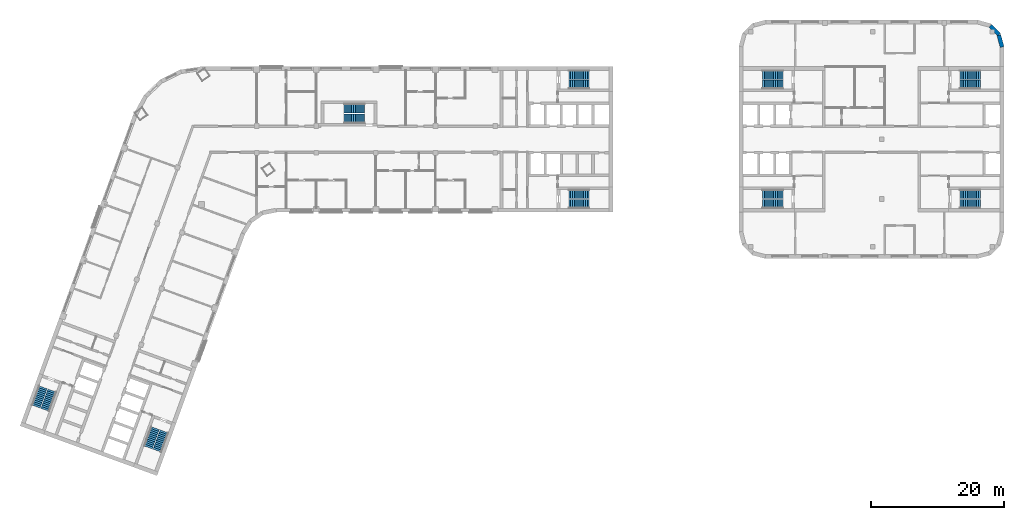
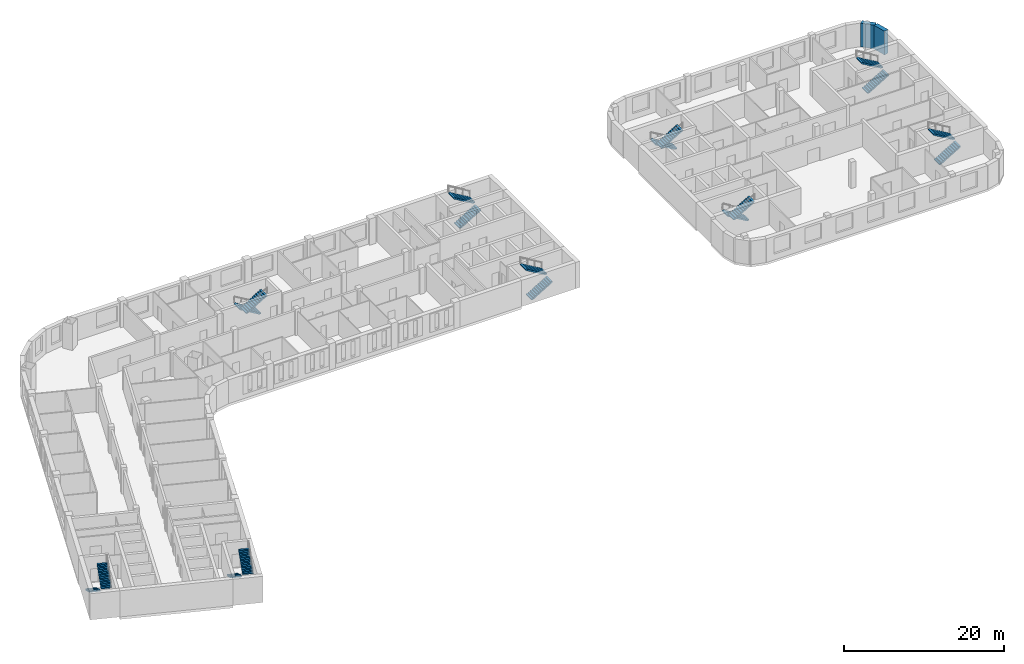
# One storey, part 10 of 12: 18 stair flights, 2 walls, 9 elements without a shape of their own.
"""IFC4 building model written with IfcOpenShell, lengths in metres."""

from ifc_helpers import new_model, si_unit, direction, frame, frame_2d, origin, place, context, subcontext, project, spatial, polyline, rectangle, outline, extrude, material, layer, layer_set, type_object, element, aggregate, save


model = new_model("IFC4")

# Units and contexts
model_context = context("Model", 3, precision=1e-05, world=origin(), true_north=direction((0.0, 1.0)))
body_context = subcontext(model_context, "Body", "Model", "MODEL_VIEW")
ifc_project = project(units=[si_unit("LENGTHUNIT", "METRE"), si_unit("AREAUNIT", "SQUARE_METRE"), si_unit("VOLUMEUNIT", "CUBIC_METRE"), si_unit("PLANEANGLEUNIT", "RADIAN"), si_unit("MASSUNIT", "GRAM", prefix="KILO")], contexts=[model_context])

# Site, building, storey
site_placement = place(None, origin())
site = spatial("IfcSite", under=ifc_project, at=site_placement, CompositionType="ELEMENT")
building_placement = place(site_placement, origin())
building = spatial("IfcBuilding", under=site, at=building_placement, Name="Skarvind Civic Tower", CompositionType="ELEMENT")
storey_placement = place(building_placement, frame((0.0, 0.0, 63.5)))
storey = spatial("IfcBuildingStorey", under=building, at=storey_placement, Name="L14", CompositionType="ELEMENT", Elevation=63.5)

# Walls
ifc_material_1 = material(Name="Limestone masonry cladding on insulated backing", Category="masonry")
ifc_layer = layer(ifc_material_1, 0.60009765625)
ifc_layer_set = layer_set([ifc_layer], Name="WX1 STONE FACADE WALL 600")
wall_type = type_object("IfcWallType", Name="WX1 STONE FACADE WALL 600", PredefinedType="SOLIDWALL", material=ifc_layer_set)
for number, where, z_axis, x_axis, name in (
    (1, (166.228759765625, 143.719482421875, 0.0), (0.0, 0.0, 1.0), (0.258773254036, -0.965938094805, 0.0), "STONE FACADE WALL"),
    (2, (164.936279296875, 145.103515625, 0.0), (0.0, 0.0, 1.0), (0.707106781187, -0.707106781187, 0.0), "STONE FACADE WALL"),
):
    element("IfcWall", number, at=place(storey_placement, frame(where, z_axis=z_axis, x_axis=x_axis)), inside=storey, type_object=wall_type, Name=name, PredefinedType="SOLIDWALL", context=body_context, shape_type="SweptSolid", body=[
        extrude(rectangle(XDim=1.860595703125, YDim=0.60009765625, at=frame_2d((0.93017578125, 0.0))), origin(), (0.0, 0.0, 1.0), 3.625),
    ])

# Stair, stair flights
ifc_material_2 = material(Name="Concrete C40/50", Category="concrete")
stair_type_1 = type_object("IfcStairType", Name="Exit stair 1450, half-turn, concrete", PredefinedType="HALF_TURN_STAIR", material=ifc_material_2)
stair_1_placement = place(storey_placement, origin())
stair_1 = element("IfcStair", 3, at=stair_1_placement, inside=storey, type_object=stair_type_1, Name="Exit stair CM", PredefinedType="HALF_TURN_STAIR")
stair_flight_type_1 = type_object("IfcStairFlightType", Name="Stair flight 1450, concrete", PredefinedType="STRAIGHT", material=ifc_material_2)
stair_flight_1_placement = place(storey_placement, frame((70.550048828125, 132.675048828125, 0.0), z_axis=(0.0, 0.0, 1.0), x_axis=(-1.0, 0.0, 0.0)))
stair_flight_1 = element("IfcStairFlight", 4, at=stair_flight_1_placement, type_object=stair_flight_type_1, Name="ST-CM flight 1", NumberOfRisers=12, NumberOfTreads=11, PredefinedType="STRAIGHT", RiserHeight=0.166666667, TreadLength=0.28, context=body_context, shape_type="SweptSolid", body=[
    extrude(outline(polyline([(0.0, 0.0), (0.0, 0.166748046875), (0.280029296875, 0.166748046875), (0.280029296875, 0.333251953125), (0.56005859375, 0.333251953125), (0.56005859375, 0.5), (0.840087890625, 0.5), (0.840087890625, 0.666748046875), (1.1201171875, 0.666748046875), (1.1201171875, 0.833251953125), (1.39990234375, 0.833251953125), (1.39990234375, 1.0), (1.679931640625, 1.0), (1.679931640625, 1.166748046875), (1.9599609375, 1.166748046875), (1.9599609375, 1.333251953125), (2.239990234375, 1.333251953125), (2.239990234375, 1.5), (2.52001953125, 1.5), (2.52001953125, 1.666748046875), (2.800048828125, 1.666748046875), (2.800048828125, 1.833251953125), (3.080078125, 1.833251953125), (3.080078125, 2.0), (3.080078125, 1.658935546875), (0.29296875, 0.0), (0.0, 0.0)])), frame((0.0, 0.72509765625, 0.0), z_axis=(0.0, -1.0, 0.0), x_axis=(1.0, 0.0, 0.0)), (0.0, 0.0, 1.0), 1.449951171875),
])
stair_flight_2_placement = place(storey_placement, frame((67.469970703125, 131.125, 2.0), z_axis=(0.0, 0.0, 1.0), x_axis=(1.0, 0.0, 0.0)))
stair_flight_2 = element("IfcStairFlight", 5, at=stair_flight_2_placement, type_object=stair_flight_type_1, Name="ST-CM flight 2", NumberOfRisers=12, NumberOfTreads=11, PredefinedType="STRAIGHT", RiserHeight=0.166666667, TreadLength=0.28, context=body_context, shape_type="SweptSolid", body=[
    extrude(outline(polyline([(0.0, 0.0), (0.0, 0.166748046875), (0.280029296875, 0.166748046875), (0.280029296875, 0.333251953125), (0.56005859375, 0.333251953125), (0.56005859375, 0.5), (0.840087890625, 0.5), (0.840087890625, 0.666748046875), (1.1201171875, 0.666748046875), (1.1201171875, 0.833251953125), (1.39990234375, 0.833251953125), (1.39990234375, 1.0), (1.679931640625, 1.0), (1.679931640625, 1.166748046875), (1.9599609375, 1.166748046875), (1.9599609375, 1.333251953125), (2.239990234375, 1.333251953125), (2.239990234375, 1.5), (2.52001953125, 1.5), (2.52001953125, 1.666748046875), (2.800048828125, 1.666748046875), (2.800048828125, 1.833251953125), (3.080078125, 1.833251953125), (3.080078125, 2.0), (3.080078125, 1.658935546875), (0.29296875, 0.0), (0.0, 0.0)])), frame((0.0, 0.72509765625, 0.0), z_axis=(0.0, -1.0, 0.0), x_axis=(1.0, 0.0, 0.0)), (0.0, 0.0, 1.0), 1.449951171875),
])
aggregate(stair_1, [stair_flight_1, stair_flight_2])

stair_type_2 = type_object("IfcStairType", Name="Exit stair, half-turn, concrete", PredefinedType="HALF_TURN_STAIR", material=ifc_material_2)
stair_2_placement = place(storey_placement, origin())
stair_2 = element("IfcStair", 6, at=stair_2_placement, inside=storey, type_object=stair_type_2, Name="Exit stair C1S", PredefinedType="HALF_TURN_STAIR")
stair_flight_type_2 = type_object("IfcStairFlightType", Name="Stair flight, concrete", PredefinedType="STRAIGHT", material=ifc_material_2)
stair_flight_3_placement = place(storey_placement, frame((101.35009765625, 136.27490234375, 0.0), z_axis=(0.0, 0.0, 1.0), x_axis=(1.0, 0.0, 0.0)))
stair_flight_3 = element("IfcStairFlight", 7, at=stair_flight_3_placement, type_object=stair_flight_type_2, Name="ST-C1S flight 1", NumberOfRisers=12, NumberOfTreads=11, PredefinedType="STRAIGHT", RiserHeight=0.166666667, TreadLength=0.28, context=body_context, shape_type="SweptSolid", body=[
    extrude(outline(polyline([(0.0, 0.0), (0.0, 0.166748046875), (0.280029296875, 0.166748046875), (0.280029296875, 0.333251953125), (0.56005859375, 0.333251953125), (0.56005859375, 0.5), (0.840087890625, 0.5), (0.840087890625, 0.666748046875), (1.1201171875, 0.666748046875), (1.1201171875, 0.833251953125), (1.39990234375, 0.833251953125), (1.39990234375, 1.0), (1.679931640625, 1.0), (1.679931640625, 1.166748046875), (1.9599609375, 1.166748046875), (1.9599609375, 1.333251953125), (2.239990234375, 1.333251953125), (2.239990234375, 1.5), (2.52001953125, 1.5), (2.52001953125, 1.666748046875), (2.800048828125, 1.666748046875), (2.800048828125, 1.833251953125), (3.080078125, 1.833251953125), (3.080078125, 2.0), (3.080078125, 1.658935546875), (0.29296875, 0.0), (0.0, 0.0)])), frame((0.0, 0.675048828125, 0.0), z_axis=(0.0, -1.0, 0.0), x_axis=(1.0, 0.0, 0.0)), (0.0, 0.0, 1.0), 1.35009765625),
])
stair_flight_4_placement = place(storey_placement, frame((104.429931640625, 137.72509765625, 2.0), z_axis=(0.0, 0.0, 1.0), x_axis=(-1.0, 0.0, 0.0)))
stair_flight_4 = element("IfcStairFlight", 8, at=stair_flight_4_placement, type_object=stair_flight_type_2, Name="ST-C1S flight 2", NumberOfRisers=12, NumberOfTreads=11, PredefinedType="STRAIGHT", RiserHeight=0.166666667, TreadLength=0.28, context=body_context, shape_type="SweptSolid", body=[
    extrude(outline(polyline([(0.0, 0.0), (0.0, 0.166748046875), (0.280029296875, 0.166748046875), (0.280029296875, 0.333251953125), (0.56005859375, 0.333251953125), (0.56005859375, 0.5), (0.840087890625, 0.5), (0.840087890625, 0.666748046875), (1.1201171875, 0.666748046875), (1.1201171875, 0.833251953125), (1.39990234375, 0.833251953125), (1.39990234375, 1.0), (1.679931640625, 1.0), (1.679931640625, 1.166748046875), (1.9599609375, 1.166748046875), (1.9599609375, 1.333251953125), (2.239990234375, 1.333251953125), (2.239990234375, 1.5), (2.52001953125, 1.5), (2.52001953125, 1.666748046875), (2.800048828125, 1.666748046875), (2.800048828125, 1.833251953125), (3.080078125, 1.833251953125), (3.080078125, 2.0), (3.080078125, 1.658935546875), (0.29296875, 0.0), (0.0, 0.0)])), frame((0.0, 0.675048828125, 0.0), z_axis=(0.0, -1.0, 0.0), x_axis=(1.0, 0.0, 0.0)), (0.0, 0.0, 1.0), 1.35009765625),
])
aggregate(stair_2, [stair_flight_3, stair_flight_4])

stair_3_placement = place(storey_placement, origin())
stair_3 = element("IfcStair", 9, at=stair_3_placement, inside=storey, type_object=stair_type_2, Name="Exit stair C1N", PredefinedType="HALF_TURN_STAIR")
stair_flight_5_placement = place(storey_placement, frame((101.35009765625, 118.27490234375, 0.0), z_axis=(0.0, 0.0, 1.0), x_axis=(1.0, 0.0, 0.0)))
stair_flight_5 = element("IfcStairFlight", 10, at=stair_flight_5_placement, type_object=stair_flight_type_2, Name="ST-C1N flight 1", NumberOfRisers=12, NumberOfTreads=11, PredefinedType="STRAIGHT", RiserHeight=0.166666667, TreadLength=0.28, context=body_context, shape_type="SweptSolid", body=[
    extrude(outline(polyline([(0.0, 0.0), (0.0, 0.166748046875), (0.280029296875, 0.166748046875), (0.280029296875, 0.333251953125), (0.56005859375, 0.333251953125), (0.56005859375, 0.5), (0.840087890625, 0.5), (0.840087890625, 0.666748046875), (1.1201171875, 0.666748046875), (1.1201171875, 0.833251953125), (1.39990234375, 0.833251953125), (1.39990234375, 1.0), (1.679931640625, 1.0), (1.679931640625, 1.166748046875), (1.9599609375, 1.166748046875), (1.9599609375, 1.333251953125), (2.239990234375, 1.333251953125), (2.239990234375, 1.5), (2.52001953125, 1.5), (2.52001953125, 1.666748046875), (2.800048828125, 1.666748046875), (2.800048828125, 1.833251953125), (3.080078125, 1.833251953125), (3.080078125, 2.0), (3.080078125, 1.658935546875), (0.29296875, 0.0), (0.0, 0.0)])), frame((0.0, 0.675048828125, 0.0), z_axis=(0.0, -1.0, 0.0), x_axis=(1.0, 0.0, 0.0)), (0.0, 0.0, 1.0), 1.35009765625),
])
stair_flight_6_placement = place(storey_placement, frame((104.429931640625, 119.72509765625, 2.0), z_axis=(0.0, 0.0, 1.0), x_axis=(-1.0, 0.0, 0.0)))
stair_flight_6 = element("IfcStairFlight", 11, at=stair_flight_6_placement, type_object=stair_flight_type_2, Name="ST-C1N flight 2", NumberOfRisers=12, NumberOfTreads=11, PredefinedType="STRAIGHT", RiserHeight=0.166666667, TreadLength=0.28, context=body_context, shape_type="SweptSolid", body=[
    extrude(outline(polyline([(0.0, 0.0), (0.0, 0.166748046875), (0.280029296875, 0.166748046875), (0.280029296875, 0.333251953125), (0.56005859375, 0.333251953125), (0.56005859375, 0.5), (0.840087890625, 0.5), (0.840087890625, 0.666748046875), (1.1201171875, 0.666748046875), (1.1201171875, 0.833251953125), (1.39990234375, 0.833251953125), (1.39990234375, 1.0), (1.679931640625, 1.0), (1.679931640625, 1.166748046875), (1.9599609375, 1.166748046875), (1.9599609375, 1.333251953125), (2.239990234375, 1.333251953125), (2.239990234375, 1.5), (2.52001953125, 1.5), (2.52001953125, 1.666748046875), (2.800048828125, 1.666748046875), (2.800048828125, 1.833251953125), (3.080078125, 1.833251953125), (3.080078125, 2.0), (3.080078125, 1.658935546875), (0.29296875, 0.0), (0.0, 0.0)])), frame((0.0, 0.675048828125, 0.0), z_axis=(0.0, -1.0, 0.0), x_axis=(1.0, 0.0, 0.0)), (0.0, 0.0, 1.0), 1.35009765625),
])
aggregate(stair_3, [stair_flight_5, stair_flight_6])

stair_4_placement = place(storey_placement, origin())
stair_4 = element("IfcStair", 12, at=stair_4_placement, inside=storey, type_object=stair_type_2, Name="Exit stair C2S", PredefinedType="HALF_TURN_STAIR")
stair_flight_7_placement = place(storey_placement, frame((38.949462890625, 84.43408203125, 0.0), z_axis=(0.0, 0.0, 1.0), x_axis=(-0.342020143326, -0.939692620786, 0.0)))
stair_flight_7 = element("IfcStairFlight", 13, at=stair_flight_7_placement, type_object=stair_flight_type_2, Name="ST-C2S flight 1", NumberOfRisers=12, NumberOfTreads=11, PredefinedType="STRAIGHT", RiserHeight=0.166666667, TreadLength=0.28, context=body_context, shape_type="SweptSolid", body=[
    extrude(outline(polyline([(0.0, 0.0), (0.0, 0.166748046875), (0.280029296875, 0.166748046875), (0.280029296875, 0.333251953125), (0.56005859375, 0.333251953125), (0.56005859375, 0.5), (0.840087890625, 0.5), (0.840087890625, 0.666748046875), (1.1201171875, 0.666748046875), (1.1201171875, 0.833251953125), (1.39990234375, 0.833251953125), (1.39990234375, 1.0), (1.679931640625, 1.0), (1.679931640625, 1.166748046875), (1.9599609375, 1.166748046875), (1.9599609375, 1.333251953125), (2.239990234375, 1.333251953125), (2.239990234375, 1.5), (2.52001953125, 1.5), (2.52001953125, 1.666748046875), (2.800048828125, 1.666748046875), (2.800048828125, 1.833251953125), (3.080078125, 1.833251953125), (3.080078125, 2.0), (3.080078125, 1.658935546875), (0.29296875, 0.0), (0.0, 0.0)])), frame((0.0, 0.675048828125, 0.0), z_axis=(0.0, -1.0, 0.0), x_axis=(1.0, 0.0, 0.0)), (0.0, 0.0, 1.0), 1.35009765625),
])
stair_flight_8_placement = place(storey_placement, frame((39.258544921875, 81.0439453125, 2.0), z_axis=(0.0, 0.0, 1.0), x_axis=(0.342020143326, 0.939692620786, 0.0)))
stair_flight_8 = element("IfcStairFlight", 14, at=stair_flight_8_placement, type_object=stair_flight_type_2, Name="ST-C2S flight 2", NumberOfRisers=12, NumberOfTreads=11, PredefinedType="STRAIGHT", RiserHeight=0.166666667, TreadLength=0.28, context=body_context, shape_type="SweptSolid", body=[
    extrude(outline(polyline([(0.0, 0.0), (0.0, 0.166748046875), (0.280029296875, 0.166748046875), (0.280029296875, 0.333251953125), (0.56005859375, 0.333251953125), (0.56005859375, 0.5), (0.840087890625, 0.5), (0.840087890625, 0.666748046875), (1.1201171875, 0.666748046875), (1.1201171875, 0.833251953125), (1.39990234375, 0.833251953125), (1.39990234375, 1.0), (1.679931640625, 1.0), (1.679931640625, 1.166748046875), (1.9599609375, 1.166748046875), (1.9599609375, 1.333251953125), (2.239990234375, 1.333251953125), (2.239990234375, 1.5), (2.52001953125, 1.5), (2.52001953125, 1.666748046875), (2.800048828125, 1.666748046875), (2.800048828125, 1.833251953125), (3.080078125, 1.833251953125), (3.080078125, 2.0), (3.080078125, 1.658935546875), (0.29296875, 0.0), (0.0, 0.0)])), frame((0.0, 0.675048828125, 0.0), z_axis=(0.0, -1.0, 0.0), x_axis=(1.0, 0.0, 0.0)), (0.0, 0.0, 1.0), 1.35009765625),
])
aggregate(stair_4, [stair_flight_7, stair_flight_8])

stair_5_placement = place(storey_placement, origin())
stair_5 = element("IfcStair", 15, at=stair_5_placement, inside=storey, type_object=stair_type_2, Name="Exit stair C2N", PredefinedType="HALF_TURN_STAIR")
stair_flight_9_placement = place(storey_placement, frame((22.034912109375, 90.590576171875, 0.0), z_axis=(0.0, 0.0, 1.0), x_axis=(-0.342020143326, -0.939692620786, 0.0)))
stair_flight_9 = element("IfcStairFlight", 16, at=stair_flight_9_placement, type_object=stair_flight_type_2, Name="ST-C2N flight 1", NumberOfRisers=12, NumberOfTreads=11, PredefinedType="STRAIGHT", RiserHeight=0.166666667, TreadLength=0.28, context=body_context, shape_type="SweptSolid", body=[
    extrude(outline(polyline([(0.0, 0.0), (0.0, 0.166748046875), (0.280029296875, 0.166748046875), (0.280029296875, 0.333251953125), (0.56005859375, 0.333251953125), (0.56005859375, 0.5), (0.840087890625, 0.5), (0.840087890625, 0.666748046875), (1.1201171875, 0.666748046875), (1.1201171875, 0.833251953125), (1.39990234375, 0.833251953125), (1.39990234375, 1.0), (1.679931640625, 1.0), (1.679931640625, 1.166748046875), (1.9599609375, 1.166748046875), (1.9599609375, 1.333251953125), (2.239990234375, 1.333251953125), (2.239990234375, 1.5), (2.52001953125, 1.5), (2.52001953125, 1.666748046875), (2.800048828125, 1.666748046875), (2.800048828125, 1.833251953125), (3.080078125, 1.833251953125), (3.080078125, 2.0), (3.080078125, 1.658935546875), (0.29296875, 0.0), (0.0, 0.0)])), frame((0.0, 0.675048828125, 0.0), z_axis=(0.0, -1.0, 0.0), x_axis=(1.0, 0.0, 0.0)), (0.0, 0.0, 1.0), 1.35009765625),
])
stair_flight_10_placement = place(storey_placement, frame((22.343994140625, 87.2001953125, 2.0), z_axis=(0.0, 0.0, 1.0), x_axis=(0.342020143326, 0.939692620786, 0.0)))
stair_flight_10 = element("IfcStairFlight", 17, at=stair_flight_10_placement, type_object=stair_flight_type_2, Name="ST-C2N flight 2", NumberOfRisers=12, NumberOfTreads=11, PredefinedType="STRAIGHT", RiserHeight=0.166666667, TreadLength=0.28, context=body_context, shape_type="SweptSolid", body=[
    extrude(outline(polyline([(0.0, 0.0), (0.0, 0.166748046875), (0.280029296875, 0.166748046875), (0.280029296875, 0.333251953125), (0.56005859375, 0.333251953125), (0.56005859375, 0.5), (0.840087890625, 0.5), (0.840087890625, 0.666748046875), (1.1201171875, 0.666748046875), (1.1201171875, 0.833251953125), (1.39990234375, 0.833251953125), (1.39990234375, 1.0), (1.679931640625, 1.0), (1.679931640625, 1.166748046875), (1.9599609375, 1.166748046875), (1.9599609375, 1.333251953125), (2.239990234375, 1.333251953125), (2.239990234375, 1.5), (2.52001953125, 1.5), (2.52001953125, 1.666748046875), (2.800048828125, 1.666748046875), (2.800048828125, 1.833251953125), (3.080078125, 1.833251953125), (3.080078125, 2.0), (3.080078125, 1.658935546875), (0.29296875, 0.0), (0.0, 0.0)])), frame((0.0, 0.675048828125, 0.0), z_axis=(0.0, -1.0, 0.0), x_axis=(1.0, 0.0, 0.0)), (0.0, 0.0, 1.0), 1.35009765625),
])
aggregate(stair_5, [stair_flight_9, stair_flight_10])

stair_6_placement = place(storey_placement, origin())
stair_6 = element("IfcStair", 18, at=stair_6_placement, inside=storey, type_object=stair_type_2, Name="Exit stair CAS", PredefinedType="HALF_TURN_STAIR")
stair_flight_11_placement = place(storey_placement, frame((133.64990234375, 119.72509765625, 0.0), z_axis=(0.0, 0.0, 1.0), x_axis=(-1.0, 0.0, 0.0)))
stair_flight_11 = element("IfcStairFlight", 19, at=stair_flight_11_placement, type_object=stair_flight_type_2, Name="ST-CAS flight 1", NumberOfRisers=12, NumberOfTreads=11, PredefinedType="STRAIGHT", RiserHeight=0.166666667, TreadLength=0.28, context=body_context, shape_type="SweptSolid", body=[
    extrude(outline(polyline([(0.0, 0.0), (0.0, 0.166748046875), (0.280029296875, 0.166748046875), (0.280029296875, 0.333251953125), (0.56005859375, 0.333251953125), (0.56005859375, 0.5), (0.840087890625, 0.5), (0.840087890625, 0.666748046875), (1.1201171875, 0.666748046875), (1.1201171875, 0.833251953125), (1.39990234375, 0.833251953125), (1.39990234375, 1.0), (1.679931640625, 1.0), (1.679931640625, 1.166748046875), (1.9599609375, 1.166748046875), (1.9599609375, 1.333251953125), (2.239990234375, 1.333251953125), (2.239990234375, 1.5), (2.52001953125, 1.5), (2.52001953125, 1.666748046875), (2.800048828125, 1.666748046875), (2.800048828125, 1.833251953125), (3.080078125, 1.833251953125), (3.080078125, 2.0), (3.080078125, 1.658935546875), (0.29296875, 0.0), (0.0, 0.0)])), frame((0.0, 0.675048828125, 0.0), z_axis=(0.0, -1.0, 0.0), x_axis=(1.0, 0.0, 0.0)), (0.0, 0.0, 1.0), 1.35009765625),
])
stair_flight_12_placement = place(storey_placement, frame((130.570068359375, 118.27490234375, 2.0), z_axis=(0.0, 0.0, 1.0), x_axis=(1.0, 0.0, 0.0)))
stair_flight_12 = element("IfcStairFlight", 20, at=stair_flight_12_placement, type_object=stair_flight_type_2, Name="ST-CAS flight 2", NumberOfRisers=12, NumberOfTreads=11, PredefinedType="STRAIGHT", RiserHeight=0.166666667, TreadLength=0.28, context=body_context, shape_type="SweptSolid", body=[
    extrude(outline(polyline([(0.0, 0.0), (0.0, 0.166748046875), (0.280029296875, 0.166748046875), (0.280029296875, 0.333251953125), (0.56005859375, 0.333251953125), (0.56005859375, 0.5), (0.840087890625, 0.5), (0.840087890625, 0.666748046875), (1.1201171875, 0.666748046875), (1.1201171875, 0.833251953125), (1.39990234375, 0.833251953125), (1.39990234375, 1.0), (1.679931640625, 1.0), (1.679931640625, 1.166748046875), (1.9599609375, 1.166748046875), (1.9599609375, 1.333251953125), (2.239990234375, 1.333251953125), (2.239990234375, 1.5), (2.52001953125, 1.5), (2.52001953125, 1.666748046875), (2.800048828125, 1.666748046875), (2.800048828125, 1.833251953125), (3.080078125, 1.833251953125), (3.080078125, 2.0), (3.080078125, 1.658935546875), (0.29296875, 0.0), (0.0, 0.0)])), frame((0.0, 0.675048828125, 0.0), z_axis=(0.0, -1.0, 0.0), x_axis=(1.0, 0.0, 0.0)), (0.0, 0.0, 1.0), 1.35009765625),
])
aggregate(stair_6, [stair_flight_11, stair_flight_12])

stair_7_placement = place(storey_placement, origin())
stair_7 = element("IfcStair", 21, at=stair_7_placement, inside=storey, type_object=stair_type_2, Name="Exit stair CAN", PredefinedType="HALF_TURN_STAIR")
stair_flight_13_placement = place(storey_placement, frame((133.64990234375, 137.72509765625, 0.0), z_axis=(0.0, 0.0, 1.0), x_axis=(-1.0, 0.0, 0.0)))
stair_flight_13 = element("IfcStairFlight", 22, at=stair_flight_13_placement, type_object=stair_flight_type_2, Name="ST-CAN flight 1", NumberOfRisers=12, NumberOfTreads=11, PredefinedType="STRAIGHT", RiserHeight=0.166666667, TreadLength=0.28, context=body_context, shape_type="SweptSolid", body=[
    extrude(outline(polyline([(0.0, 0.0), (0.0, 0.166748046875), (0.280029296875, 0.166748046875), (0.280029296875, 0.333251953125), (0.56005859375, 0.333251953125), (0.56005859375, 0.5), (0.840087890625, 0.5), (0.840087890625, 0.666748046875), (1.1201171875, 0.666748046875), (1.1201171875, 0.833251953125), (1.39990234375, 0.833251953125), (1.39990234375, 1.0), (1.679931640625, 1.0), (1.679931640625, 1.166748046875), (1.9599609375, 1.166748046875), (1.9599609375, 1.333251953125), (2.239990234375, 1.333251953125), (2.239990234375, 1.5), (2.52001953125, 1.5), (2.52001953125, 1.666748046875), (2.800048828125, 1.666748046875), (2.800048828125, 1.833251953125), (3.080078125, 1.833251953125), (3.080078125, 2.0), (3.080078125, 1.658935546875), (0.29296875, 0.0), (0.0, 0.0)])), frame((0.0, 0.675048828125, 0.0), z_axis=(0.0, -1.0, 0.0), x_axis=(1.0, 0.0, 0.0)), (0.0, 0.0, 1.0), 1.35009765625),
])
stair_flight_14_placement = place(storey_placement, frame((130.570068359375, 136.27490234375, 2.0), z_axis=(0.0, 0.0, 1.0), x_axis=(1.0, 0.0, 0.0)))
stair_flight_14 = element("IfcStairFlight", 23, at=stair_flight_14_placement, type_object=stair_flight_type_2, Name="ST-CAN flight 2", NumberOfRisers=12, NumberOfTreads=11, PredefinedType="STRAIGHT", RiserHeight=0.166666667, TreadLength=0.28, context=body_context, shape_type="SweptSolid", body=[
    extrude(outline(polyline([(0.0, 0.0), (0.0, 0.166748046875), (0.280029296875, 0.166748046875), (0.280029296875, 0.333251953125), (0.56005859375, 0.333251953125), (0.56005859375, 0.5), (0.840087890625, 0.5), (0.840087890625, 0.666748046875), (1.1201171875, 0.666748046875), (1.1201171875, 0.833251953125), (1.39990234375, 0.833251953125), (1.39990234375, 1.0), (1.679931640625, 1.0), (1.679931640625, 1.166748046875), (1.9599609375, 1.166748046875), (1.9599609375, 1.333251953125), (2.239990234375, 1.333251953125), (2.239990234375, 1.5), (2.52001953125, 1.5), (2.52001953125, 1.666748046875), (2.800048828125, 1.666748046875), (2.800048828125, 1.833251953125), (3.080078125, 1.833251953125), (3.080078125, 2.0), (3.080078125, 1.658935546875), (0.29296875, 0.0), (0.0, 0.0)])), frame((0.0, 0.675048828125, 0.0), z_axis=(0.0, -1.0, 0.0), x_axis=(1.0, 0.0, 0.0)), (0.0, 0.0, 1.0), 1.35009765625),
])
aggregate(stair_7, [stair_flight_13, stair_flight_14])

stair_8_placement = place(storey_placement, origin())
stair_8 = element("IfcStair", 24, at=stair_8_placement, inside=storey, type_object=stair_type_2, Name="Exit stair CBS", PredefinedType="HALF_TURN_STAIR")
stair_flight_15_placement = place(storey_placement, frame((160.35009765625, 136.27490234375, 0.0), z_axis=(0.0, 0.0, 1.0), x_axis=(1.0, 0.0, 0.0)))
stair_flight_15 = element("IfcStairFlight", 25, at=stair_flight_15_placement, type_object=stair_flight_type_2, Name="ST-CBS flight 1", NumberOfRisers=12, NumberOfTreads=11, PredefinedType="STRAIGHT", RiserHeight=0.166666667, TreadLength=0.28, context=body_context, shape_type="SweptSolid", body=[
    extrude(outline(polyline([(0.0, 0.0), (0.0, 0.166748046875), (0.280029296875, 0.166748046875), (0.280029296875, 0.333251953125), (0.56005859375, 0.333251953125), (0.56005859375, 0.5), (0.840087890625, 0.5), (0.840087890625, 0.666748046875), (1.1201171875, 0.666748046875), (1.1201171875, 0.833251953125), (1.39990234375, 0.833251953125), (1.39990234375, 1.0), (1.679931640625, 1.0), (1.679931640625, 1.166748046875), (1.9599609375, 1.166748046875), (1.9599609375, 1.333251953125), (2.239990234375, 1.333251953125), (2.239990234375, 1.5), (2.52001953125, 1.5), (2.52001953125, 1.666748046875), (2.800048828125, 1.666748046875), (2.800048828125, 1.833251953125), (3.080078125, 1.833251953125), (3.080078125, 2.0), (3.080078125, 1.658935546875), (0.29296875, 0.0), (0.0, 0.0)])), frame((0.0, 0.675048828125, 0.0), z_axis=(0.0, -1.0, 0.0), x_axis=(1.0, 0.0, 0.0)), (0.0, 0.0, 1.0), 1.35009765625),
])
stair_flight_16_placement = place(storey_placement, frame((163.429931640625, 137.72509765625, 2.0), z_axis=(0.0, 0.0, 1.0), x_axis=(-1.0, 0.0, 0.0)))
stair_flight_16 = element("IfcStairFlight", 26, at=stair_flight_16_placement, type_object=stair_flight_type_2, Name="ST-CBS flight 2", NumberOfRisers=12, NumberOfTreads=11, PredefinedType="STRAIGHT", RiserHeight=0.166666667, TreadLength=0.28, context=body_context, shape_type="SweptSolid", body=[
    extrude(outline(polyline([(0.0, 0.0), (0.0, 0.166748046875), (0.280029296875, 0.166748046875), (0.280029296875, 0.333251953125), (0.56005859375, 0.333251953125), (0.56005859375, 0.5), (0.840087890625, 0.5), (0.840087890625, 0.666748046875), (1.1201171875, 0.666748046875), (1.1201171875, 0.833251953125), (1.39990234375, 0.833251953125), (1.39990234375, 1.0), (1.679931640625, 1.0), (1.679931640625, 1.166748046875), (1.9599609375, 1.166748046875), (1.9599609375, 1.333251953125), (2.239990234375, 1.333251953125), (2.239990234375, 1.5), (2.52001953125, 1.5), (2.52001953125, 1.666748046875), (2.800048828125, 1.666748046875), (2.800048828125, 1.833251953125), (3.080078125, 1.833251953125), (3.080078125, 2.0), (3.080078125, 1.658935546875), (0.29296875, 0.0), (0.0, 0.0)])), frame((0.0, 0.675048828125, 0.0), z_axis=(0.0, -1.0, 0.0), x_axis=(1.0, 0.0, 0.0)), (0.0, 0.0, 1.0), 1.35009765625),
])
aggregate(stair_8, [stair_flight_15, stair_flight_16])

stair_9_placement = place(storey_placement, origin())
stair_9 = element("IfcStair", 27, at=stair_9_placement, inside=storey, type_object=stair_type_2, Name="Exit stair CBN", PredefinedType="HALF_TURN_STAIR")
stair_flight_17_placement = place(storey_placement, frame((160.35009765625, 118.27490234375, 0.0), z_axis=(0.0, 0.0, 1.0), x_axis=(1.0, 0.0, 0.0)))
stair_flight_17 = element("IfcStairFlight", 28, at=stair_flight_17_placement, type_object=stair_flight_type_2, Name="ST-CBN flight 1", NumberOfRisers=12, NumberOfTreads=11, PredefinedType="STRAIGHT", RiserHeight=0.166666667, TreadLength=0.28, context=body_context, shape_type="SweptSolid", body=[
    extrude(outline(polyline([(0.0, 0.0), (0.0, 0.166748046875), (0.280029296875, 0.166748046875), (0.280029296875, 0.333251953125), (0.56005859375, 0.333251953125), (0.56005859375, 0.5), (0.840087890625, 0.5), (0.840087890625, 0.666748046875), (1.1201171875, 0.666748046875), (1.1201171875, 0.833251953125), (1.39990234375, 0.833251953125), (1.39990234375, 1.0), (1.679931640625, 1.0), (1.679931640625, 1.166748046875), (1.9599609375, 1.166748046875), (1.9599609375, 1.333251953125), (2.239990234375, 1.333251953125), (2.239990234375, 1.5), (2.52001953125, 1.5), (2.52001953125, 1.666748046875), (2.800048828125, 1.666748046875), (2.800048828125, 1.833251953125), (3.080078125, 1.833251953125), (3.080078125, 2.0), (3.080078125, 1.658935546875), (0.29296875, 0.0), (0.0, 0.0)])), frame((0.0, 0.675048828125, 0.0), z_axis=(0.0, -1.0, 0.0), x_axis=(1.0, 0.0, 0.0)), (0.0, 0.0, 1.0), 1.35009765625),
])
stair_flight_18_placement = place(storey_placement, frame((163.429931640625, 119.72509765625, 2.0), z_axis=(0.0, 0.0, 1.0), x_axis=(-1.0, 0.0, 0.0)))
stair_flight_18 = element("IfcStairFlight", 29, at=stair_flight_18_placement, type_object=stair_flight_type_2, Name="ST-CBN flight 2", NumberOfRisers=12, NumberOfTreads=11, PredefinedType="STRAIGHT", RiserHeight=0.166666667, TreadLength=0.28, context=body_context, shape_type="SweptSolid", body=[
    extrude(outline(polyline([(0.0, 0.0), (0.0, 0.166748046875), (0.280029296875, 0.166748046875), (0.280029296875, 0.333251953125), (0.56005859375, 0.333251953125), (0.56005859375, 0.5), (0.840087890625, 0.5), (0.840087890625, 0.666748046875), (1.1201171875, 0.666748046875), (1.1201171875, 0.833251953125), (1.39990234375, 0.833251953125), (1.39990234375, 1.0), (1.679931640625, 1.0), (1.679931640625, 1.166748046875), (1.9599609375, 1.166748046875), (1.9599609375, 1.333251953125), (2.239990234375, 1.333251953125), (2.239990234375, 1.5), (2.52001953125, 1.5), (2.52001953125, 1.666748046875), (2.800048828125, 1.666748046875), (2.800048828125, 1.833251953125), (3.080078125, 1.833251953125), (3.080078125, 2.0), (3.080078125, 1.658935546875), (0.29296875, 0.0), (0.0, 0.0)])), frame((0.0, 0.675048828125, 0.0), z_axis=(0.0, -1.0, 0.0), x_axis=(1.0, 0.0, 0.0)), (0.0, 0.0, 1.0), 1.35009765625),
])
aggregate(stair_9, [stair_flight_17, stair_flight_18])

save(model, "model.ifc")
